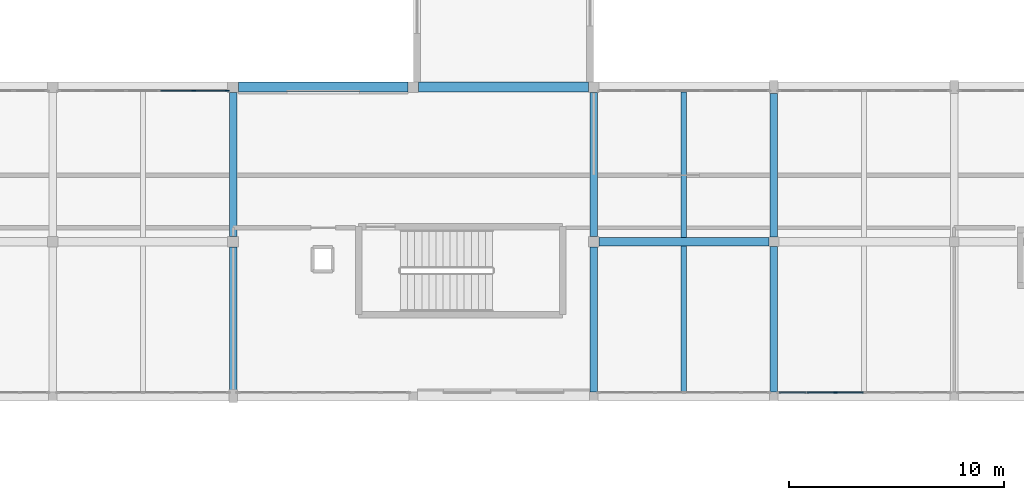
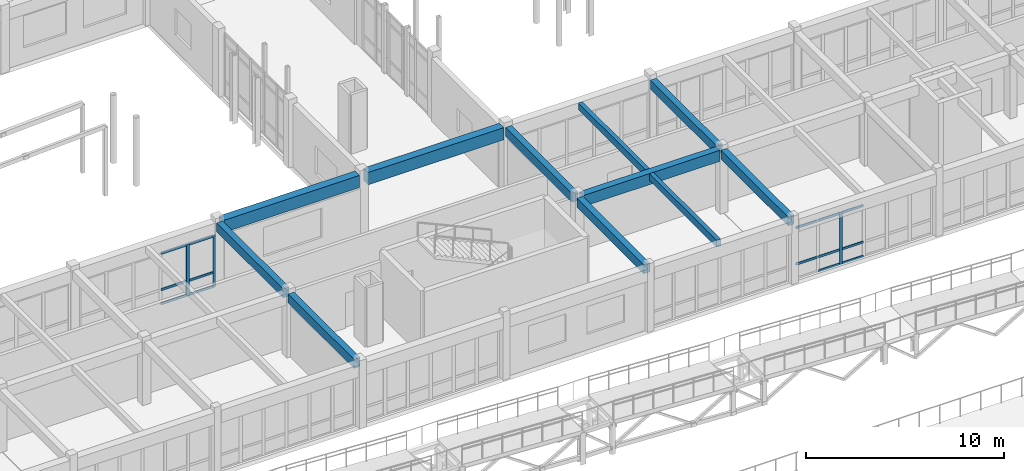
# One storey, part 41 of 89: 17 members, 11 beams, 2 elements without a shape of their own.
"""IFC4 building model written with IfcOpenShell, lengths in metres."""

from ifc_helpers import new_model, si_unit, direction, frame, origin, origin_2d, place, context, subcontext, project, spatial, rectangle, extrude, material, material_profile, profile_set, type_object, element, aggregate, save


model = new_model("IFC4")

# Units and contexts
model_context = context("Model", 3, precision=1e-05, world=origin(), true_north=direction((0.0, 1.0)))
body_context = subcontext(model_context, "Body", "Model", "MODEL_VIEW")
ifc_project = project(units=[si_unit("LENGTHUNIT", "METRE"), si_unit("AREAUNIT", "SQUARE_METRE"), si_unit("VOLUMEUNIT", "CUBIC_METRE"), si_unit("PLANEANGLEUNIT", "RADIAN"), si_unit("MASSUNIT", "GRAM", prefix="KILO")], contexts=[model_context])

# Site, building, storey
site_placement = place(None, origin())
site = spatial("IfcSite", under=ifc_project, at=site_placement, CompositionType="ELEMENT")
building_placement = place(site_placement, origin())
building = spatial("IfcBuilding", under=site, at=building_placement, Name="Malvenik Polytechnic", CompositionType="ELEMENT")
storey_placement = place(building_placement, frame((0.0, 0.0, 13.5)))
storey = spatial("IfcBuildingStorey", under=building, at=storey_placement, Name="L03", CompositionType="ELEMENT", Elevation=13.5)

# Curtain wall, members
ifc_material_1 = material(Name="Anodised aluminium 6060-T6", Category="aluminium")
curtain_wall_type = type_object("IfcCurtainWallType", Name="ARC-CW-CW-02", PredefinedType="NOTDEFINED", material=ifc_material_1)
curtain_wall_1_placement = place(storey_placement, origin())
curtain_wall_1 = element("IfcCurtainWall", 1, at=curtain_wall_1_placement, inside=storey, type_object=curtain_wall_type, Name="Unitised Curtain Wall CW-02 L03 #166", PredefinedType="NOTDEFINED")
ifc_material_2 = material(Name="Anodised aluminium", Category="aluminium")
ifc_material_profile_1 = material_profile(ifc_material_2, rectangle(XDim=0.06005859375, YDim=0.179931640625, at=origin_2d()), Name="ALU MULLION 60x180")
ifc_profile_set_1 = profile_set([ifc_material_profile_1], Name="Anodised aluminium")
member_type_1 = type_object("IfcMemberType", Name="ARC-CWM-180", PredefinedType="MULLION", material=ifc_profile_set_1)
member_1_placement = place(storey_placement, frame((65.37109375, 93.429931640625, 0.0), z_axis=(0.0, 0.0, 1.0), x_axis=(0.0, 1.0, 0.0)))
member_1 = element("IfcMember", 2, at=member_1_placement, type_object=member_type_1, Name="CW-02 mullion 5", PredefinedType="MULLION", context=body_context, shape_type="SweptSolid", body=[
    extrude(rectangle(XDim=0.06005859375, YDim=0.179931640625, at=origin_2d()), origin(), (0.0, 0.0, 1.0), 3.159912109375),
])
member_2_placement = place(storey_placement, frame((66.922119140625, 93.429931640625, 0.0), z_axis=(0.0, 0.0, 1.0), x_axis=(0.0, 1.0, 0.0)))
member_2 = element("IfcMember", 3, at=member_2_placement, type_object=member_type_1, Name="CW-02 mullion 6", PredefinedType="MULLION", context=body_context, shape_type="SweptSolid", body=[
    extrude(rectangle(XDim=0.06005859375, YDim=0.179931640625, at=origin_2d()), origin(), (0.0, 0.0, 1.0), 3.159912109375),
])

# Curtain wall, member
curtain_wall_2_placement = place(storey_placement, origin())
curtain_wall_2 = element("IfcCurtainWall", 4, at=curtain_wall_2_placement, inside=storey, type_object=curtain_wall_type, Name="Unitised Curtain Wall CW-02 L03 #196", PredefinedType="NOTDEFINED")
member_3_placement = place(storey_placement, frame((95.26611328125, 79.3701171875, 0.0), z_axis=(0.0, 0.0, 1.0), x_axis=(0.0, -1.0, 0.0)))
member_3 = element("IfcMember", 5, at=member_3_placement, type_object=member_type_1, Name="CW-02 mullion 5", PredefinedType="MULLION", context=body_context, shape_type="SweptSolid", body=[
    extrude(rectangle(XDim=0.06005859375, YDim=0.179931640625, at=origin_2d()), origin(), (0.0, 0.0, 1.0), 3.159912109375),
])

# Member
ifc_material_profile_2 = material_profile(ifc_material_2, rectangle(XDim=0.06005859375, YDim=0.139892578125, at=origin_2d()), Name="ALU TRANSOM 60x140")
ifc_profile_set_2 = profile_set([ifc_material_profile_2], Name="Anodised aluminium")
member_type_2 = type_object("IfcMemberType", Name="ARC-CWT-140", PredefinedType="USERDEFINED", material=ifc_profile_set_2)
member_4_placement = place(storey_placement, frame((63.8203125, 93.429931640625, 0.030029296875), z_axis=(1.0, 0.0, 0.0), x_axis=(0.0, 1.0, 0.0)))
member_4 = element("IfcMember", 6, at=member_4_placement, type_object=member_type_2, Name="CW-02 transom 4.1", ObjectType="TRANSOM", PredefinedType="USERDEFINED", context=body_context, shape_type="SweptSolid", body=[
    extrude(rectangle(XDim=0.06005859375, YDim=0.139892578125, at=origin_2d()), origin(), (0.0, 0.0, 1.0), 1.52099609375),
])

member_5_placement = place(storey_placement, frame((63.8203125, 93.429931640625, 0.89990234375), z_axis=(1.0, 0.0, 0.0), x_axis=(0.0, 1.0, 0.0)))
member_5 = element("IfcMember", 7, at=member_5_placement, type_object=member_type_2, Name="CW-02 transom 4.2", ObjectType="TRANSOM", PredefinedType="USERDEFINED", context=body_context, shape_type="SweptSolid", body=[
    extrude(rectangle(XDim=0.06005859375, YDim=0.139892578125, at=origin_2d()), origin(), (0.0, 0.0, 1.0), 1.52099609375),
])

member_6_placement = place(storey_placement, frame((63.8203125, 93.429931640625, 3.1298828125), z_axis=(1.0, 0.0, 0.0), x_axis=(0.0, 1.0, 0.0)))
member_6 = element("IfcMember", 8, at=member_6_placement, type_object=member_type_2, Name="CW-02 transom 4.3", ObjectType="TRANSOM", PredefinedType="USERDEFINED", context=body_context, shape_type="SweptSolid", body=[
    extrude(rectangle(XDim=0.06005859375, YDim=0.139892578125, at=origin_2d()), origin(), (0.0, 0.0, 1.0), 1.52099609375),
])

member_7_placement = place(storey_placement, frame((65.401123046875, 93.429931640625, 0.030029296875), z_axis=(1.0, 0.0, 0.0), x_axis=(0.0, 1.0, 0.0)))
member_7 = element("IfcMember", 9, at=member_7_placement, type_object=member_type_2, Name="CW-02 transom 5.1", ObjectType="TRANSOM", PredefinedType="USERDEFINED", context=body_context, shape_type="SweptSolid", body=[
    extrude(rectangle(XDim=0.06005859375, YDim=0.139892578125, at=origin_2d()), origin(), (0.0, 0.0, 1.0), 1.490966796875),
])

member_8_placement = place(storey_placement, frame((65.401123046875, 93.429931640625, 0.89990234375), z_axis=(1.0, 0.0, 0.0), x_axis=(0.0, 1.0, 0.0)))
member_8 = element("IfcMember", 10, at=member_8_placement, type_object=member_type_2, Name="CW-02 transom 5.2", ObjectType="TRANSOM", PredefinedType="USERDEFINED", context=body_context, shape_type="SweptSolid", body=[
    extrude(rectangle(XDim=0.06005859375, YDim=0.139892578125, at=origin_2d()), origin(), (0.0, 0.0, 1.0), 1.490966796875),
])

member_9_placement = place(storey_placement, frame((65.401123046875, 93.429931640625, 3.1298828125), z_axis=(1.0, 0.0, 0.0), x_axis=(0.0, 1.0, 0.0)))
member_9 = element("IfcMember", 11, at=member_9_placement, type_object=member_type_2, Name="CW-02 transom 5.3", ObjectType="TRANSOM", PredefinedType="USERDEFINED", context=body_context, shape_type="SweptSolid", body=[
    extrude(rectangle(XDim=0.06005859375, YDim=0.139892578125, at=origin_2d()), origin(), (0.0, 0.0, 1.0), 1.490966796875),
])

aggregate(curtain_wall_1, [member_1, member_2, member_4, member_5, member_6, member_7, member_8, member_9])

member_10_placement = place(storey_placement, frame((96.570068359375, 79.3701171875, 0.030029296875), z_axis=(-1.0, 0.0, 0.0), x_axis=(0.0, -1.0, 0.0)))
member_10 = element("IfcMember", 12, at=member_10_placement, type_object=member_type_2, Name="CW-02 transom 4.1", ObjectType="TRANSOM", PredefinedType="USERDEFINED", context=body_context, shape_type="SweptSolid", body=[
    extrude(rectangle(XDim=0.06005859375, YDim=0.139892578125, at=origin_2d()), origin(), (0.0, 0.0, 1.0), 1.274169921875),
])

member_11_placement = place(storey_placement, frame((96.570068359375, 79.3701171875, 0.89990234375), z_axis=(-1.0, 0.0, 0.0), x_axis=(0.0, -1.0, 0.0)))
member_11 = element("IfcMember", 13, at=member_11_placement, type_object=member_type_2, Name="CW-02 transom 4.2", ObjectType="TRANSOM", PredefinedType="USERDEFINED", context=body_context, shape_type="SweptSolid", body=[
    extrude(rectangle(XDim=0.06005859375, YDim=0.139892578125, at=origin_2d()), origin(), (0.0, 0.0, 1.0), 1.274169921875),
])

member_12_placement = place(storey_placement, frame((96.570068359375, 79.3701171875, 3.1298828125), z_axis=(-1.0, 0.0, 0.0), x_axis=(0.0, -1.0, 0.0)))
member_12 = element("IfcMember", 14, at=member_12_placement, type_object=member_type_2, Name="CW-02 transom 4.3", ObjectType="TRANSOM", PredefinedType="USERDEFINED", context=body_context, shape_type="SweptSolid", body=[
    extrude(rectangle(XDim=0.06005859375, YDim=0.139892578125, at=origin_2d()), origin(), (0.0, 0.0, 1.0), 1.274169921875),
])

member_13_placement = place(storey_placement, frame((95.236083984375, 79.3701171875, 0.030029296875), z_axis=(-1.0, 0.0, 0.0), x_axis=(0.0, -1.0, 0.0)))
member_13 = element("IfcMember", 15, at=member_13_placement, type_object=member_type_2, Name="CW-02 transom 5.1", ObjectType="TRANSOM", PredefinedType="USERDEFINED", context=body_context, shape_type="SweptSolid", body=[
    extrude(rectangle(XDim=0.06005859375, YDim=0.139892578125, at=origin_2d()), origin(), (0.0, 0.0, 1.0), 1.274169921875),
])

member_14_placement = place(storey_placement, frame((95.236083984375, 79.3701171875, 0.89990234375), z_axis=(-1.0, 0.0, 0.0), x_axis=(0.0, -1.0, 0.0)))
member_14 = element("IfcMember", 16, at=member_14_placement, type_object=member_type_2, Name="CW-02 transom 5.2", ObjectType="TRANSOM", PredefinedType="USERDEFINED", context=body_context, shape_type="SweptSolid", body=[
    extrude(rectangle(XDim=0.06005859375, YDim=0.139892578125, at=origin_2d()), origin(), (0.0, 0.0, 1.0), 1.274169921875),
])

member_15_placement = place(storey_placement, frame((95.236083984375, 79.3701171875, 3.1298828125), z_axis=(-1.0, 0.0, 0.0), x_axis=(0.0, -1.0, 0.0)))
member_15 = element("IfcMember", 17, at=member_15_placement, type_object=member_type_2, Name="CW-02 transom 5.3", ObjectType="TRANSOM", PredefinedType="USERDEFINED", context=body_context, shape_type="SweptSolid", body=[
    extrude(rectangle(XDim=0.06005859375, YDim=0.139892578125, at=origin_2d()), origin(), (0.0, 0.0, 1.0), 1.274169921875),
])

member_16_placement = place(storey_placement, frame((93.902099609375, 79.3701171875, 0.89990234375), z_axis=(-1.0, 0.0, 0.0), x_axis=(0.0, -1.0, 0.0)))
member_16 = element("IfcMember", 18, at=member_16_placement, type_object=member_type_2, Name="CW-02 transom 6.2", ObjectType="TRANSOM", PredefinedType="USERDEFINED", context=body_context, shape_type="SweptSolid", body=[
    extrude(rectangle(XDim=0.06005859375, YDim=0.139892578125, at=origin_2d()), origin(), (0.0, 0.0, 1.0), 1.244140625),
])

member_17_placement = place(storey_placement, frame((93.902099609375, 79.3701171875, 3.1298828125), z_axis=(-1.0, 0.0, 0.0), x_axis=(0.0, -1.0, 0.0)))
member_17 = element("IfcMember", 19, at=member_17_placement, type_object=member_type_2, Name="CW-02 transom 6.3", ObjectType="TRANSOM", PredefinedType="USERDEFINED", context=body_context, shape_type="SweptSolid", body=[
    extrude(rectangle(XDim=0.06005859375, YDim=0.139892578125, at=origin_2d()), origin(), (0.0, 0.0, 1.0), 1.244140625),
])

aggregate(curtain_wall_2, [member_3, member_10, member_11, member_12, member_13, member_14, member_15, member_16, member_17])

# Beams
ifc_material_3 = material(Name="Concrete C35/45", Category="concrete")
ifc_material_profile_3 = material_profile(ifc_material_3, rectangle(XDim=0.39990234375, YDim=0.679931640625, at=origin_2d()), Name="RC BM 400x680")
ifc_profile_set_3 = profile_set([ifc_material_profile_3], Name="Concrete C35/45")
beam_type_1 = type_object("IfcBeamType", Name="STR-BM-B-05", PredefinedType="BEAM", material=ifc_profile_set_3)
beam_1_placement = place(storey_placement, frame((84.248046875, 86.39990234375, 3.580078125), z_axis=(1.0, 0.0, 0.0), x_axis=(0.0, 1.0, 0.0)))
element("IfcBeam", 20, at=beam_1_placement, inside=storey, type_object=beam_type_1, Name="Primary Beam B-05 L03 #1656", PredefinedType="BEAM", context=body_context, shape_type="SweptSolid", body=[
    extrude(rectangle(XDim=0.39990234375, YDim=0.679931640625, at=origin_2d()), origin(), (0.0, 0.0, 1.0), 7.928955078125),
])
ifc_material_profile_4 = material_profile(ifc_material_3, rectangle(XDim=0.35009765625, YDim=0.550048828125, at=origin_2d()), Name="RC BM 350x550")
ifc_profile_set_4 = profile_set([ifc_material_profile_4], Name="Concrete C35/45")
beam_type_2 = type_object("IfcBeamType", Name="STR-BM-B-08", PredefinedType="BEAM", material=ifc_profile_set_4)
beam_2_placement = place(storey_placement, frame((67.199951171875, 79.498046875, 3.64501953125), z_axis=(0.0, 1.0, 0.0), x_axis=(-1.0, 0.0, 0.0)))
element("IfcBeam", 21, at=beam_2_placement, inside=storey, type_object=beam_type_2, Name="Transverse Beam B-08 L03 #1752", PredefinedType="BEAM", context=body_context, shape_type="SweptSolid", body=[
    extrude(rectangle(XDim=0.35009765625, YDim=0.550048828125, at=origin_2d()), origin(), (0.0, 0.0, 1.0), 6.654052734375),
])
beam_3_placement = place(storey_placement, frame((67.199951171875, 86.64794921875, 3.64501953125), z_axis=(0.0, 1.0, 0.0), x_axis=(-1.0, 0.0, 0.0)))
element("IfcBeam", 22, at=beam_3_placement, inside=storey, type_object=beam_type_2, Name="Transverse Beam B-08 L03 #1753", PredefinedType="BEAM", context=body_context, shape_type="SweptSolid", body=[
    extrude(rectangle(XDim=0.35009765625, YDim=0.550048828125, at=origin_2d()), origin(), (0.0, 0.0, 1.0), 6.7041015625),
])
beam_4_placement = place(storey_placement, frame((84.0, 79.39794921875, 3.64501953125), z_axis=(0.0, 1.0, 0.0), x_axis=(-1.0, 0.0, 0.0)))
element("IfcBeam", 23, at=beam_4_placement, inside=storey, type_object=beam_type_2, Name="Transverse Beam B-08 L03 #1758", PredefinedType="BEAM", context=body_context, shape_type="SweptSolid", body=[
    extrude(rectangle(XDim=0.35009765625, YDim=0.550048828125, at=origin_2d()), origin(), (0.0, 0.0, 1.0), 6.754150390625),
])
beam_5_placement = place(storey_placement, frame((84.0, 86.64794921875, 3.64501953125), z_axis=(0.0, 1.0, 0.0), x_axis=(-1.0, 0.0, 0.0)))
element("IfcBeam", 24, at=beam_5_placement, inside=storey, type_object=beam_type_2, Name="Transverse Beam B-08 L03 #1759", PredefinedType="BEAM", context=body_context, shape_type="SweptSolid", body=[
    extrude(rectangle(XDim=0.35009765625, YDim=0.550048828125, at=origin_2d()), origin(), (0.0, 0.0, 1.0), 6.7041015625),
])
beam_6_placement = place(storey_placement, frame((92.39990234375, 79.39794921875, 3.64501953125), z_axis=(0.0, 1.0, 0.0), x_axis=(-1.0, 0.0, 0.0)))
element("IfcBeam", 25, at=beam_6_placement, inside=storey, type_object=beam_type_2, Name="Transverse Beam B-08 L03 #1762", PredefinedType="BEAM", context=body_context, shape_type="SweptSolid", body=[
    extrude(rectangle(XDim=0.35009765625, YDim=0.550048828125, at=origin_2d()), origin(), (0.0, 0.0, 1.0), 6.779052734375),
])
beam_7_placement = place(storey_placement, frame((92.39990234375, 86.623046875, 3.64501953125), z_axis=(0.0, 1.0, 0.0), x_axis=(-1.0, 0.0, 0.0)))
element("IfcBeam", 26, at=beam_7_placement, inside=storey, type_object=beam_type_2, Name="Transverse Beam B-08 L03 #1763", PredefinedType="BEAM", context=body_context, shape_type="SweptSolid", body=[
    extrude(rectangle(XDim=0.35009765625, YDim=0.550048828125, at=origin_2d()), origin(), (0.0, 0.0, 1.0), 6.678955078125),
])
ifc_material_4 = material(Name="Concrete C30/37", Category="concrete")
ifc_material_profile_5 = material_profile(ifc_material_4, rectangle(XDim=0.239990234375, YDim=0.419921875, at=origin_2d()), Name="RC JST 240x420")
ifc_profile_set_5 = profile_set([ifc_material_profile_5], Name="Concrete C30/37")
beam_type_3 = type_object("IfcBeamType", Name="STR-BM-J-03", PredefinedType="JOIST", material=ifc_profile_set_5)
beam_8_placement = place(storey_placement, frame((88.199951171875, 79.427978515625, 3.7099609375), z_axis=(0.0, 1.0, 0.0), x_axis=(-1.0, 0.0, 0.0)))
element("IfcBeam", 27, at=beam_8_placement, inside=storey, type_object=beam_type_3, Name="Secondary Rib Joist J-03 L03 #1809", PredefinedType="JOIST", context=body_context, shape_type="SweptSolid", body=[
    extrude(rectangle(XDim=0.239990234375, YDim=0.419921875, at=origin_2d()), origin(), (0.0, 0.0, 1.0), 6.77392578125),
])
beam_9_placement = place(storey_placement, frame((88.199951171875, 86.597900390625, 3.7099609375), z_axis=(0.0, 1.0, 0.0), x_axis=(-1.0, 0.0, 0.0)))
element("IfcBeam", 28, at=beam_9_placement, inside=storey, type_object=beam_type_3, Name="Secondary Rib Joist J-03 L03 #1810", PredefinedType="JOIST", context=body_context, shape_type="SweptSolid", body=[
    extrude(rectangle(XDim=0.239990234375, YDim=0.419921875, at=origin_2d()), origin(), (0.0, 0.0, 1.0), 6.774169921875),
])
ifc_material_5 = material(Name="Precast concrete C40/50", Category="concrete")
ifc_material_profile_6 = material_profile(ifc_material_5, rectangle(XDim=0.4599609375, YDim=0.75, at=origin_2d()), Name="PC SPN 460x750")
ifc_profile_set_6 = profile_set([ifc_material_profile_6], Name="Precast concrete C40/50")
beam_type_4 = type_object("IfcBeamType", Name="STR-BM-SP-02", PredefinedType="SPANDREL", material=ifc_profile_set_6)
for number, where, z_axis, x_axis, name in (
    (29, (67.447998046875, 93.60009765625, 3.544921875), (1.0, 0.0, 0.0), (0.0, 1.0, 0.0), "Primary Beam SP-02 L03 #1670"),
    (30, (75.847900390625, 93.60009765625, 3.544921875), (1.0, 0.0, 0.0), (0.0, 1.0, 0.0), "Primary Beam SP-02 L03 #1671"),
):
    element("IfcBeam", number, at=place(storey_placement, frame(where, z_axis=z_axis, x_axis=x_axis)), inside=storey, type_object=beam_type_4, Name=name, PredefinedType="SPANDREL", context=body_context, shape_type="SweptSolid", body=[
        extrude(rectangle(XDim=0.4599609375, YDim=0.75, at=origin_2d()), origin(), (0.0, 0.0, 1.0), 7.904052734375),
    ])

save(model, "model.ifc")
